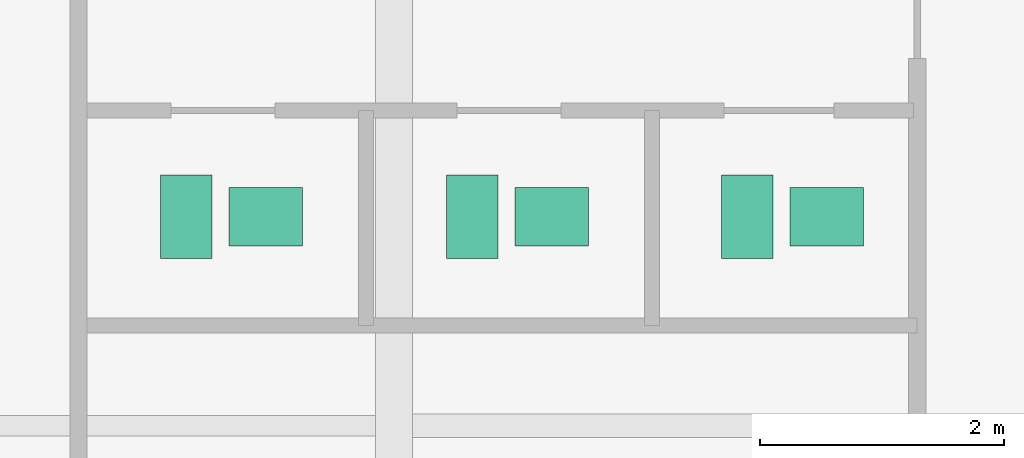
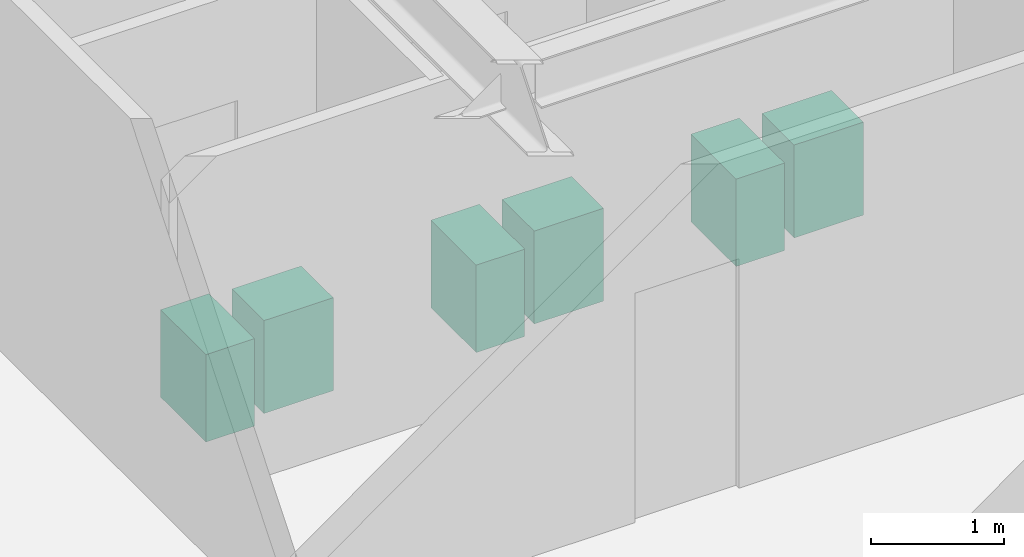
# One storey, part 24 of 24: 6 sanitary terminals.
"""IFC4 building model written with IfcOpenShell, lengths in metres."""

from ifc_helpers import new_model, si_unit, direction, frame, origin, origin_2d, place, context, subcontext, project, spatial, rectangle, extrude, source, transform, mapped, material, type_object, type_shapes, element, save


model = new_model("IFC4")

# Units and contexts
model_context = context("Model", 3, precision=1e-05, world=origin(), true_north=direction((0.0, 1.0)))
body_context = subcontext(model_context, "Body", "Model", "MODEL_VIEW")
ifc_project = project(units=[si_unit("LENGTHUNIT", "METRE"), si_unit("AREAUNIT", "SQUARE_METRE"), si_unit("VOLUMEUNIT", "CUBIC_METRE"), si_unit("PLANEANGLEUNIT", "RADIAN"), si_unit("MASSUNIT", "GRAM", prefix="KILO")], contexts=[model_context])

# Site, building, storey
site_placement = place(None, origin())
site = spatial("IfcSite", under=ifc_project, at=site_placement, CompositionType="ELEMENT")
building_placement = place(site_placement, origin())
building = spatial("IfcBuilding", under=site, at=building_placement, Name="Krantzveldt Concourse Tower", CompositionType="ELEMENT")
storey_placement = place(building_placement, frame((0.0, 0.0, 162.0)))
storey = spatial("IfcBuildingStorey", under=building, at=storey_placement, Name="L39", CompositionType="ELEMENT", Elevation=162.0)

# Sanitary terminals
ifc_material = material(Name="Vitreous china", Category="ceramic")
sanitary_terminal_type_1 = type_object("IfcSanitaryTerminalType", Name="SAN-WC-SUITE", PredefinedType="TOILETPAN", material=ifc_material)
shared_shape_1 = source(origin(), body_context, "Body", "SweptSolid", [
    extrude(rectangle(XDim=0.419921875, YDim=0.679931640625, at=origin_2d()), origin(), (0.0, 0.0, 1.0), 0.800048828125),
])
type_shapes(sanitary_terminal_type_1, [shared_shape_1])
for number, where, z_axis, x_axis, name in (
    (1, (28.89990234375, 31.909912109375, 0.0), (0.0, 0.0, 1.0), (1.0, 0.0, 0.0), "WC-SP-L39-WCM"),
    (2, (31.239990234375, 31.909912109375, 0.0), (0.0, 0.0, 1.0), (1.0, 0.0, 0.0), "WC-SP-L39-WCF"),
    (3, (33.489990234375, 31.909912109375, 0.0), (0.0, 0.0, 1.0), (1.0, 0.0, 0.0), "WC-SP-L39-WCA"),
):
    element("IfcSanitaryTerminal", number, at=place(storey_placement, frame(where, z_axis=z_axis, x_axis=x_axis)), inside=storey, type_object=sanitary_terminal_type_1, Name=name, PredefinedType="TOILETPAN", context=body_context, shape_type="MappedRepresentation", body=[
        mapped(shared_shape_1, transform((0.0, 0.0, 0.0), x_axis=(1.0, 0.0, 0.0), y_axis=(0.0, 1.0, 0.0), z_axis=(0.0, 0.0, 1.0), scale=1.0)),
    ])
sanitary_terminal_type_2 = type_object("IfcSanitaryTerminalType", Name="SAN-BASIN-600", PredefinedType="WASHHANDBASIN", material=ifc_material)
shared_shape_2 = source(origin(), body_context, "Body", "SweptSolid", [
    extrude(rectangle(XDim=0.60009765625, YDim=0.47998046875, at=origin_2d()), origin(), (0.0, 0.0, 1.0), 0.85009765625),
])
type_shapes(sanitary_terminal_type_2, [shared_shape_2])
for number, where, z_axis, x_axis, name in (
    (4, (29.550048828125, 31.909912109375, 0.0048828125), (0.0, 0.0, 1.0), (1.0, 0.0, 0.0), "BSN-SP-L39-WCM"),
    (5, (31.889892578125, 31.909912109375, 0.0048828125), (0.0, 0.0, 1.0), (1.0, 0.0, 0.0), "BSN-SP-L39-WCF"),
    (6, (34.139892578125, 31.909912109375, 0.0048828125), (0.0, 0.0, 1.0), (1.0, 0.0, 0.0), "BSN-SP-L39-WCA"),
):
    element("IfcSanitaryTerminal", number, at=place(storey_placement, frame(where, z_axis=z_axis, x_axis=x_axis)), inside=storey, type_object=sanitary_terminal_type_2, Name=name, PredefinedType="WASHHANDBASIN", context=body_context, shape_type="MappedRepresentation", body=[
        mapped(shared_shape_2, transform((0.0, 0.0, 0.0), x_axis=(1.0, 0.0, 0.0), y_axis=(0.0, 1.0, 0.0), z_axis=(0.0, 0.0, 1.0), scale=1.0)),
    ])

save(model, "model.ifc")
